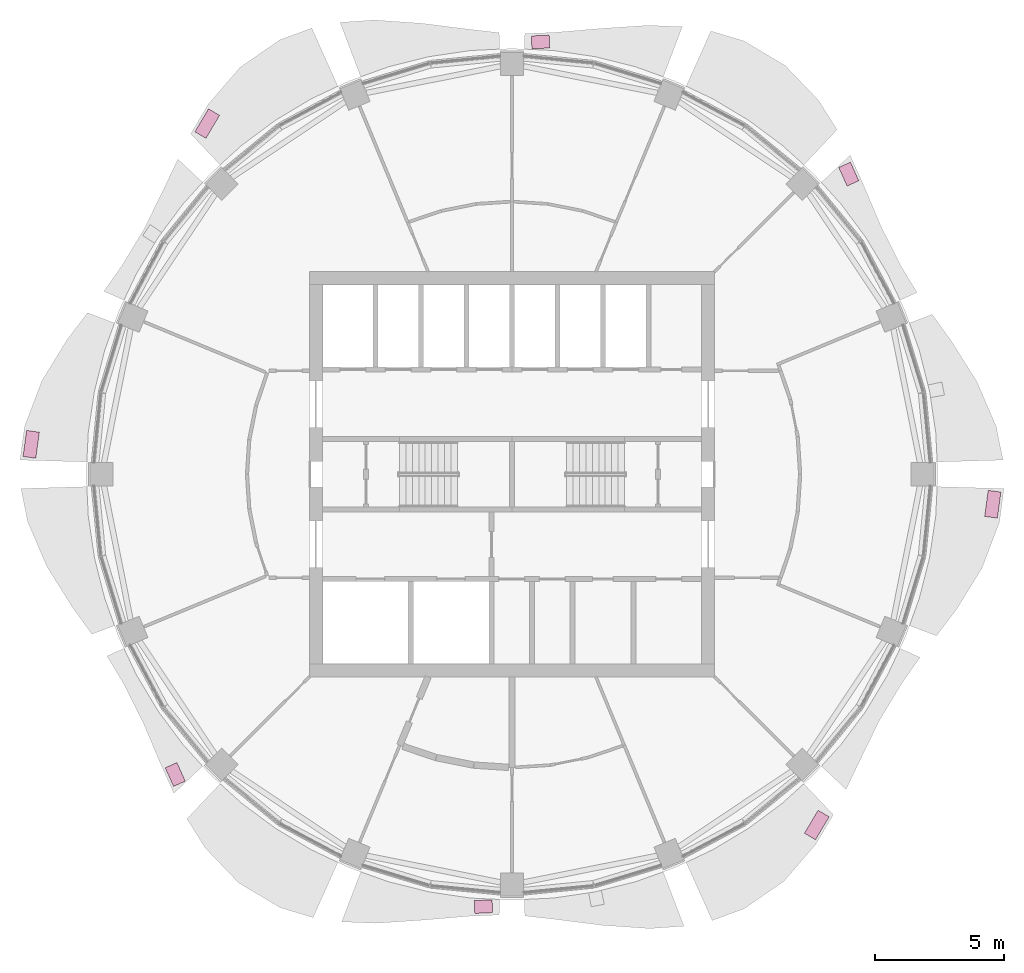
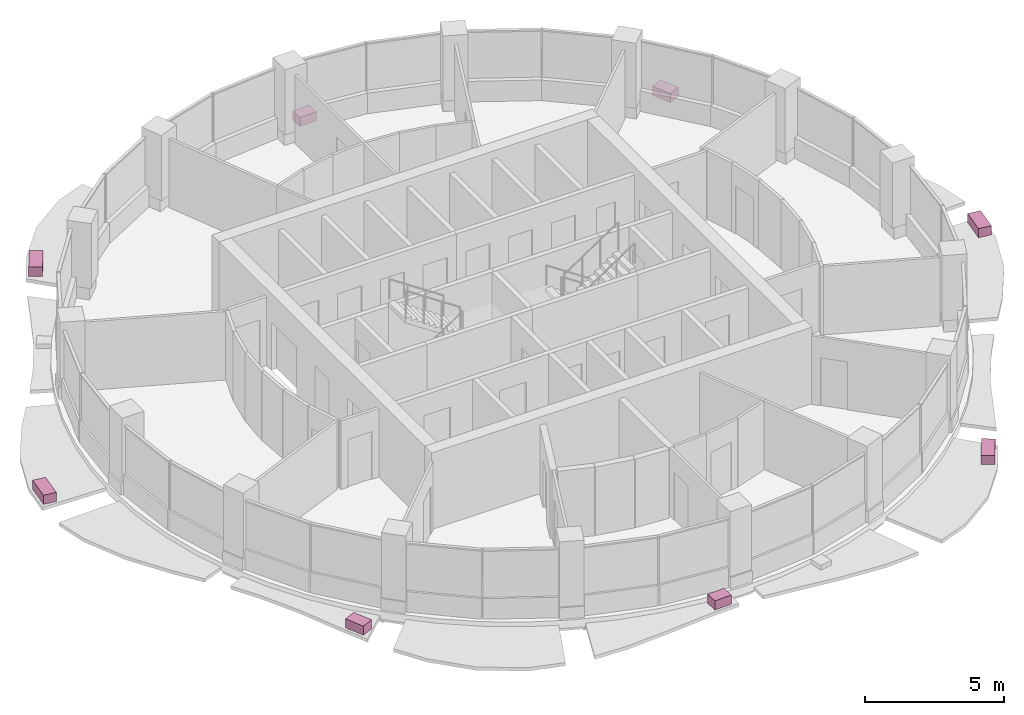
# One storey, part 15 of 15: 8 furniture elements.
"""IFC4 building model written with IfcOpenShell, lengths in metres."""

from ifc_helpers import new_model, si_unit, direction, frame, origin, origin_2d, place, context, subcontext, project, spatial, rectangle, extrude, material, type_object, element, save


model = new_model("IFC4")

# Units and contexts
model_context = context("Model", 3, precision=1e-05, world=origin(), true_north=direction((0.0, 1.0)))
body_context = subcontext(model_context, "Body", "Model", "MODEL_VIEW")
ifc_project = project(units=[si_unit("LENGTHUNIT", "METRE"), si_unit("AREAUNIT", "SQUARE_METRE"), si_unit("VOLUMEUNIT", "CUBIC_METRE"), si_unit("PLANEANGLEUNIT", "RADIAN"), si_unit("MASSUNIT", "GRAM", prefix="KILO")], contexts=[model_context])

# Site, building, storey
site_placement = place(None, origin())
site = spatial("IfcSite", under=ifc_project, at=site_placement, CompositionType="ELEMENT")
building_placement = place(site_placement, origin())
building = spatial("IfcBuilding", under=site, at=building_placement, Name="Polderwave Tower", CompositionType="ELEMENT")
storey_placement = place(building_placement, frame((0.0, 0.0, 207.75)))
storey = spatial("IfcBuildingStorey", under=building, at=storey_placement, Name="L56", CompositionType="ELEMENT", Elevation=207.75)

# Furniture
ifc_material = material(Name="Terracotta", Category="masonry")
furniture_type = type_object("IfcFurnitureType", Name="Terracotta planting trough", AssemblyPlace="NOTDEFINED", PredefinedType="USERDEFINED", material=ifc_material)
furniture_1_placement = place(storey_placement, frame((13.08935546875, 11.667724609375, -0.199951171875), z_axis=(0.0, 0.0, 1.0), x_axis=(-0.410963901819, 0.911651617341, 0.0)))
element("IfcFurniture", 1, at=furniture_1_placement, inside=storey, type_object=furniture_type, Name="Planting trough L56 2", ObjectType="PLANTER", PredefinedType="USERDEFINED", context=body_context, shape_type="SweptSolid", body=[
    extrude(rectangle(XDim=0.793212890625, YDim=0.5, at=origin_2d()), origin(), (0.0, 0.0, 1.0), 0.39990234375),
])
furniture_2_placement = place(storey_placement, frame((1.109619140625, 16.803955078125, -0.199951171875), z_axis=(0.0, 0.0, 1.0), x_axis=(-0.999091493344, -0.042616756419, 0.0)))
element("IfcFurniture", 2, at=furniture_2_placement, inside=storey, type_object=furniture_type, Name="Planting trough L56 4", ObjectType="PLANTER", PredefinedType="USERDEFINED", context=body_context, shape_type="SweptSolid", body=[
    extrude(rectangle(XDim=0.69580078125, YDim=0.5, at=origin_2d()), origin(), (0.0, 0.0, 1.0), 0.39990234375),
])
furniture_3_placement = place(storey_placement, frame((-11.84619140625, 13.632080078125, -0.199951171875), z_axis=(0.0, 0.0, 1.0), x_axis=(-0.509795363947, -0.860295697361, 0.0)))
element("IfcFurniture", 3, at=furniture_3_placement, inside=storey, type_object=furniture_type, Name="Planting trough L56 6", ObjectType="PLANTER", PredefinedType="USERDEFINED", context=body_context, shape_type="SweptSolid", body=[
    extrude(rectangle(XDim=1.037841796875, YDim=0.5, at=origin_2d()), origin(), (0.0, 0.0, 1.0), 0.39990234375),
])
furniture_4_placement = place(storey_placement, frame((-18.687744140625, 1.163818359375, -0.199951171875), z_axis=(0.0, 0.0, 1.0), x_axis=(-0.134013858838, -0.990979457728, 0.0)))
element("IfcFurniture", 4, at=furniture_4_placement, inside=storey, type_object=furniture_type, Name="Planting trough L56 8", ObjectType="PLANTER", PredefinedType="USERDEFINED", context=body_context, shape_type="SweptSolid", body=[
    extrude(rectangle(XDim=1.022705078125, YDim=0.5, at=origin_2d()), origin(), (0.0, 0.0, 1.0), 0.39990234375),
])
furniture_5_placement = place(storey_placement, frame((-13.08935546875, -11.667724609375, -0.199951171875), z_axis=(0.0, 0.0, 1.0), x_axis=(0.410963901819, -0.911651617341, 0.0)))
element("IfcFurniture", 5, at=furniture_5_placement, inside=storey, type_object=furniture_type, Name="Planting trough L56 10", ObjectType="PLANTER", PredefinedType="USERDEFINED", context=body_context, shape_type="SweptSolid", body=[
    extrude(rectangle(XDim=0.793212890625, YDim=0.5, at=origin_2d()), origin(), (0.0, 0.0, 1.0), 0.39990234375),
])
furniture_6_placement = place(storey_placement, frame((-1.109619140625, -16.803955078125, -0.199951171875), z_axis=(0.0, 0.0, 1.0), x_axis=(0.999091493344, 0.042616756419, 0.0)))
element("IfcFurniture", 6, at=furniture_6_placement, inside=storey, type_object=furniture_type, Name="Planting trough L56 12", ObjectType="PLANTER", PredefinedType="USERDEFINED", context=body_context, shape_type="SweptSolid", body=[
    extrude(rectangle(XDim=0.69580078125, YDim=0.5, at=origin_2d()), origin(), (0.0, 0.0, 1.0), 0.39990234375),
])
furniture_7_placement = place(storey_placement, frame((11.84619140625, -13.632080078125, -0.199951171875), z_axis=(0.0, 0.0, 1.0), x_axis=(0.509795363947, 0.860295697361, 0.0)))
element("IfcFurniture", 7, at=furniture_7_placement, inside=storey, type_object=furniture_type, Name="Planting trough L56 14", ObjectType="PLANTER", PredefinedType="USERDEFINED", context=body_context, shape_type="SweptSolid", body=[
    extrude(rectangle(XDim=1.037841796875, YDim=0.5, at=origin_2d()), origin(), (0.0, 0.0, 1.0), 0.39990234375),
])
furniture_8_placement = place(storey_placement, frame((18.687744140625, -1.163818359375, -0.199951171875), z_axis=(0.0, 0.0, 1.0), x_axis=(0.134013858838, 0.990979457728, 0.0)))
element("IfcFurniture", 8, at=furniture_8_placement, inside=storey, type_object=furniture_type, Name="Planting trough L56 16", ObjectType="PLANTER", PredefinedType="USERDEFINED", context=body_context, shape_type="SweptSolid", body=[
    extrude(rectangle(XDim=1.022705078125, YDim=0.5, at=origin_2d()), origin(), (0.0, 0.0, 1.0), 0.39990234375),
])

save(model, "model.ifc")
